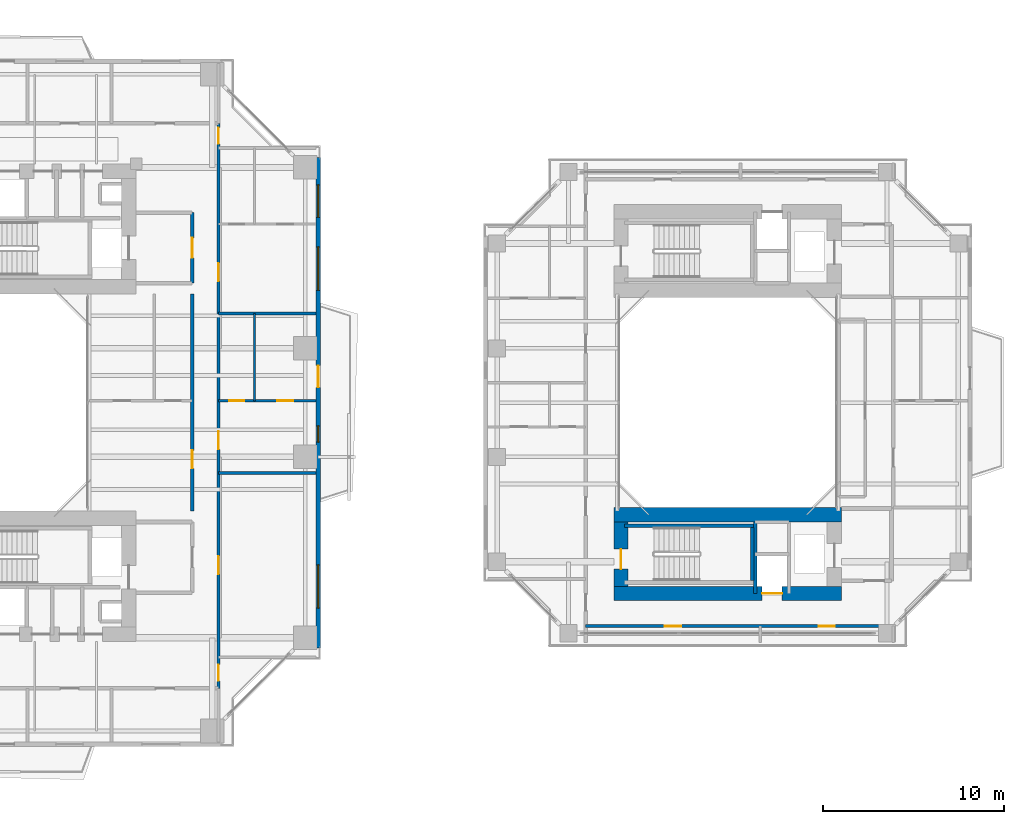
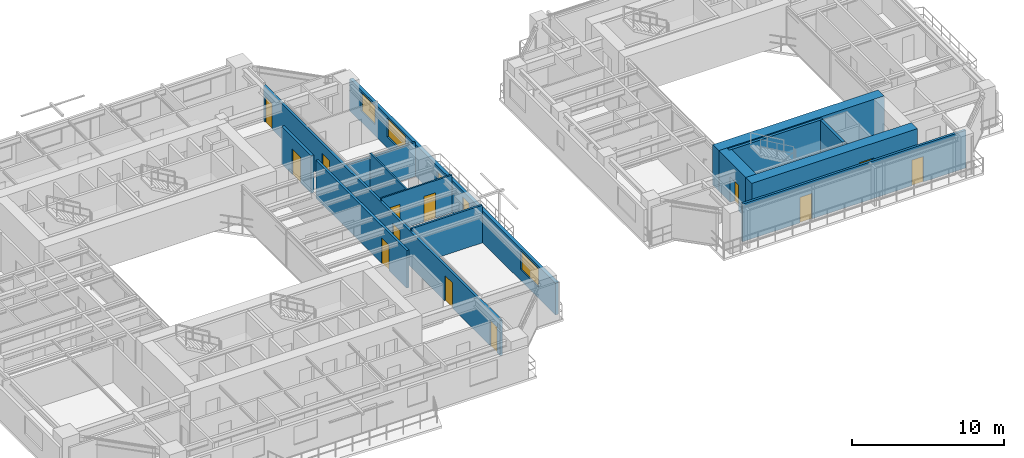
# One storey, part 15 of 24: 15 walls, 14 doors, 4 windows, 18 openings.
"""IFC4 building model written with IfcOpenShell, lengths in metres."""

from ifc_helpers import new_model, si_unit, direction, frame, frame_2d, origin, place, context, subcontext, project, spatial, rectangle, extrude, source, transform, mapped, material, layer, layer_set, type_object, element, fill, save


model = new_model("IFC4")

# Units and contexts
model_context = context("Model", 3, precision=1e-05, world=origin(), true_north=direction((0.0, 1.0)))
body_context = subcontext(model_context, "Body", "Model", "MODEL_VIEW")
ifc_project = project(units=[si_unit("LENGTHUNIT", "METRE"), si_unit("AREAUNIT", "SQUARE_METRE"), si_unit("VOLUMEUNIT", "CUBIC_METRE"), si_unit("PLANEANGLEUNIT", "RADIAN"), si_unit("MASSUNIT", "GRAM", prefix="KILO"), si_unit("THERMODYNAMICTEMPERATUREUNIT", "KELVIN"), si_unit("POWERUNIT", "WATT")], contexts=[model_context])

# Site, building, storey
site_placement = place(None, origin())
site = spatial("IfcSite", under=ifc_project, at=site_placement, CompositionType="ELEMENT")
building_placement = place(site_placement, origin())
building = spatial("IfcBuilding", under=site, at=building_placement, Name="Qiaomeng Ring Towers", CompositionType="ELEMENT")
storey_placement = place(building_placement, frame((0.0, 0.0, 42.5)))
storey = spatial("IfcBuildingStorey", under=building, at=storey_placement, Name="L11", CompositionType="ELEMENT", Elevation=42.5)

# Wall, openings, windows, door
ifc_material_1 = material(Name="Precast concrete C40", Category="concrete")
ifc_layer_1 = layer(ifc_material_1, 0.25, Name="Precast concrete C40")
ifc_layer_set_1 = layer_set([ifc_layer_1], Name="Precast concrete C40")
wall_type_1 = type_object("IfcWallType", Name="ARC-WL-EW1", PredefinedType="STANDARD", material=ifc_layer_set_1)
wall_1_placement = place(storey_placement, frame((37.875, 9.449951171875, 0.0), z_axis=(0.0, 0.0, 1.0), x_axis=(0.0, 1.0, 0.0)))
wall_1 = element("IfcWall", 1, at=wall_1_placement, inside=storey, type_object=wall_type_1, Name="L11 Tower 1 E Exterior Wall", PredefinedType="STANDARD", context=body_context, shape_type="SweptSolid", body=[
    extrude(rectangle(XDim=27.10009765625, YDim=0.25, at=frame_2d((13.550048828125, 0.0))), origin(), (0.0, 0.0, 1.0), 2.570068359375),
])
opening_1_placement = place(wall_1_placement, frame((14.39990234375, 0.0, 0.0)))
opening_1 = element("IfcOpeningElement", 2, at=opening_1_placement, cuts=wall_1, Name="Opening BD1", PredefinedType="OPENING", context=body_context, shape_type="SweptSolid", body=[
    extrude(rectangle(XDim=1.199951171875, YDim=2.10009765625, at=frame_2d((0.60009765625, 1.050048828125))), frame((0.0, 0.135009765625, 0.0), z_axis=(0.0, -1.0, 0.0), x_axis=(1.0, 0.0, 0.0)), (0.0, 0.0, 1.0), 0.27001953125),
])
opening_2_placement = place(wall_1_placement, frame((2.18798828125, 0.0, 0.89990234375)))
opening_2 = element("IfcOpeningElement", 3, at=opening_2_placement, cuts=wall_1, Name="Opening WN6", PredefinedType="OPENING", context=body_context, shape_type="SweptSolid", body=[
    extrude(rectangle(XDim=2.39990234375, YDim=1.47998046875, at=frame_2d((1.199951171875, 0.739990234375))), frame((0.0, 0.135009765625, 0.0), z_axis=(0.0, -1.0, 0.0), x_axis=(1.0, 0.0, 0.0)), (0.0, 0.0, 1.0), 0.27001953125),
])
opening_3_placement = place(wall_1_placement, frame((23.78759765625, 0.0, 0.89990234375)))
opening_3 = element("IfcOpeningElement", 4, at=opening_3_placement, cuts=wall_1, Name="Opening WN1", PredefinedType="OPENING", context=body_context, shape_type="SweptSolid", body=[
    extrude(rectangle(XDim=1.800048828125, YDim=1.5, at=frame_2d((0.89990234375, 0.75))), frame((0.0, 0.135009765625, 0.0), z_axis=(0.0, -1.0, 0.0), x_axis=(1.0, 0.0, 0.0)), (0.0, 0.0, 1.0), 0.27001953125),
])
opening_4_placement = place(wall_1_placement, frame((19.757568359375, 0.0, 0.89990234375)))
opening_4 = element("IfcOpeningElement", 5, at=opening_4_placement, cuts=wall_1, Name="Opening WN6", PredefinedType="OPENING", context=body_context, shape_type="SweptSolid", body=[
    extrude(rectangle(XDim=2.39990234375, YDim=1.5, at=frame_2d((1.199951171875, 0.75))), frame((0.0, 0.135009765625, 0.0), z_axis=(0.0, -1.0, 0.0), x_axis=(1.0, 0.0, 0.0)), (0.0, 0.0, 1.0), 0.27001953125),
])
opening_5_placement = place(wall_1_placement, frame((11.364990234375, 0.0, 0.89990234375)))
opening_5 = element("IfcOpeningElement", 6, at=opening_5_placement, cuts=wall_1, Name="Opening WN5", PredefinedType="OPENING", context=body_context, shape_type="SweptSolid", body=[
    extrude(rectangle(XDim=0.89990234375, YDim=1.199951171875, at=frame_2d((0.449951171875, 0.60009765625))), frame((0.0, 0.135009765625, 0.0), z_axis=(0.0, -1.0, 0.0), x_axis=(1.0, 0.0, 0.0)), (0.0, 0.0, 1.0), 0.27001953125),
])
ifc_material_2 = material(Name="Low-E dark-grey laminated double glazing", Category="glass")
window_type_1 = type_object("IfcWindowType", Name="ARC-WN-6", PartitioningType="TRIPLE_PANEL_VERTICAL", PredefinedType="WINDOW", material=ifc_material_2)
shared_shape_1 = source(origin(), body_context, "Body", "SweptSolid", [
    extrude(rectangle(XDim=2.39990234375, YDim=1.47998046875, at=frame_2d((1.199951171875, 0.739990234375))), frame((0.0, 0.030029296875, 0.0), z_axis=(0.0, -1.0, 0.0), x_axis=(1.0, 0.0, 0.0)), (0.0, 0.0, 1.0), 0.06005859375),
])
window_1_placement = place(opening_2_placement, origin())
window_1 = element("IfcWindow", 7, at=window_1_placement, inside=storey, type_object=window_type_1, Name="L11 Exterior Window WN6", OverallHeight=1.47998046875, OverallWidth=2.39990234375, PartitioningType="TRIPLE_PANEL_VERTICAL", PredefinedType="WINDOW", context=body_context, shape_type="MappedRepresentation", body=[
    mapped(shared_shape_1, transform((0.0, 0.0, 0.0), x_axis=(1.0, 0.0, 0.0), y_axis=(0.0, 1.0, 0.0), z_axis=(0.0, 0.0, 1.0), scale=1.0)),
])
fill(opening_2, window_1)
door_type_1 = type_object("IfcDoorType", Name="ARC-DR-BD1", OperationType="NOTDEFINED", PredefinedType="DOOR", material=ifc_material_2)
shared_shape_2 = source(origin(), body_context, "Body", "SweptSolid", [
    extrude(rectangle(XDim=1.199951171875, YDim=2.10009765625, at=frame_2d((0.60009765625, 1.050048828125))), frame((0.0, 0.02490234375, 0.0), z_axis=(0.0, -1.0, 0.0), x_axis=(1.0, 0.0, 0.0)), (0.0, 0.0, 1.0), 0.050048828125),
])
door_1_placement = place(opening_1_placement, origin())
door_1 = element("IfcDoor", 8, at=door_1_placement, inside=storey, type_object=door_type_1, Name="L11 E Balcony Glazed Door", OperationType="SINGLE_SWING_LEFT", OverallHeight=2.10009765625, OverallWidth=1.199951171875, PredefinedType="DOOR", context=body_context, shape_type="MappedRepresentation", body=[
    mapped(shared_shape_2, transform((0.0, 0.0, 0.0), x_axis=(1.0, 0.0, 0.0), y_axis=(0.0, 1.0, 0.0), z_axis=(0.0, 0.0, 1.0), scale=1.0)),
])
fill(opening_1, door_1)
shared_shape_3 = source(origin(), body_context, "Body", "SweptSolid", [
    extrude(rectangle(XDim=2.39990234375, YDim=1.5, at=frame_2d((1.199951171875, 0.75))), frame((0.0, 0.030029296875, 0.0), z_axis=(0.0, -1.0, 0.0), x_axis=(1.0, 0.0, 0.0)), (0.0, 0.0, 1.0), 0.06005859375),
])
window_2_placement = place(opening_4_placement, origin())
window_2 = element("IfcWindow", 9, at=window_2_placement, inside=storey, type_object=window_type_1, Name="L11 Exterior Window WN6", OverallHeight=1.5, OverallWidth=2.39990234375, PartitioningType="TRIPLE_PANEL_VERTICAL", PredefinedType="WINDOW", context=body_context, shape_type="MappedRepresentation", body=[
    mapped(shared_shape_3, transform((0.0, 0.0, 0.0), x_axis=(1.0, 0.0, 0.0), y_axis=(0.0, 1.0, 0.0), z_axis=(0.0, 0.0, 1.0), scale=1.0)),
])
fill(opening_4, window_2)
window_type_2 = type_object("IfcWindowType", Name="ARC-WN-1", PartitioningType="DOUBLE_PANEL_VERTICAL", PredefinedType="WINDOW", material=ifc_material_2)
shared_shape_4 = source(origin(), body_context, "Body", "SweptSolid", [
    extrude(rectangle(XDim=1.800048828125, YDim=1.5, at=frame_2d((0.89990234375, 0.75))), frame((0.0, 0.030029296875, 0.0), z_axis=(0.0, -1.0, 0.0), x_axis=(1.0, 0.0, 0.0)), (0.0, 0.0, 1.0), 0.06005859375),
])
window_3_placement = place(opening_3_placement, origin())
window_3 = element("IfcWindow", 10, at=window_3_placement, inside=storey, type_object=window_type_2, Name="L11 Exterior Window WN4", OverallHeight=1.5, OverallWidth=1.800048828125, PartitioningType="TRIPLE_PANEL_VERTICAL", PredefinedType="WINDOW", context=body_context, shape_type="MappedRepresentation", body=[
    mapped(shared_shape_4, transform((0.0, 0.0, 0.0), x_axis=(1.0, 0.0, 0.0), y_axis=(0.0, 1.0, 0.0), z_axis=(0.0, 0.0, 1.0), scale=1.0)),
])
fill(opening_3, window_3)
window_type_3 = type_object("IfcWindowType", Name="ARC-WN-5", PartitioningType="SINGLE_PANEL", PredefinedType="WINDOW", material=ifc_material_2)
shared_shape_5 = source(origin(), body_context, "Body", "SweptSolid", [
    extrude(rectangle(XDim=0.89990234375, YDim=1.199951171875, at=frame_2d((0.449951171875, 0.60009765625))), frame((0.0, 0.030029296875, 0.0), z_axis=(0.0, -1.0, 0.0), x_axis=(1.0, 0.0, 0.0)), (0.0, 0.0, 1.0), 0.06005859375),
])
window_4_placement = place(opening_5_placement, origin())
window_4 = element("IfcWindow", 11, at=window_4_placement, inside=storey, type_object=window_type_3, Name="L11 Exterior Window WN5", OverallHeight=1.199951171875, OverallWidth=0.89990234375, PartitioningType="SINGLE_PANEL", PredefinedType="WINDOW", context=body_context, shape_type="MappedRepresentation", body=[
    mapped(shared_shape_5, transform((0.0, 0.0, 0.0), x_axis=(1.0, 0.0, 0.0), y_axis=(0.0, 1.0, 0.0), z_axis=(0.0, 0.0, 1.0), scale=1.0)),
])
fill(opening_5, window_4)

# Wall, opening, door
ifc_material_3 = material(Name="Autoclaved aerated concrete block", Category="concrete")
ifc_layer_2 = layer(ifc_material_3, 0.199951171875, Name="Autoclaved aerated concrete block")
ifc_layer_set_2 = layer_set([ifc_layer_2], Name="Autoclaved aerated concrete block")
wall_type_2 = type_object("IfcWallType", Name="ARC-WL-PW1", PredefinedType="PARTITIONING", material=ifc_layer_set_2)
wall_2_placement = place(storey_placement, frame((30.89990234375, 29.60009765625, 0.0), z_axis=(0.0, 0.0, 1.0), x_axis=(0.0, 1.0, 0.0)))
wall_2 = element("IfcWall", 12, at=wall_2_placement, inside=storey, type_object=wall_type_2, Name="L11 Interior Wall PW1", PredefinedType="PARTITIONING", context=body_context, shape_type="SweptSolid", body=[
    extrude(rectangle(XDim=3.89990234375, YDim=0.199951171875, at=frame_2d((1.949951171875, 0.0))), origin(), (0.0, 0.0, 1.0), 3.030029296875),
])
opening_6_placement = place(wall_2_placement, frame((1.39990234375, 0.0, 0.0)))
opening_6 = element("IfcOpeningElement", 13, at=opening_6_placement, cuts=wall_2, Name="Opening FD3", PredefinedType="OPENING", context=body_context, shape_type="SweptSolid", body=[
    extrude(rectangle(XDim=1.10009765625, YDim=2.050048828125, at=frame_2d((0.550048828125, 1.02490234375))), frame((0.0, 0.10986328125, 0.0), z_axis=(0.0, -1.0, 0.0), x_axis=(1.0, 0.0, 0.0)), (0.0, 0.0, 1.0), 0.219970703125),
])
ifc_material_4 = material(Name="Galvanised steel", Category="steel")
door_type_2 = type_object("IfcDoorType", Name="ARC-DR-FD3", OperationType="NOTDEFINED", PredefinedType="DOOR", material=ifc_material_4)
shared_shape_6 = source(origin(), body_context, "Body", "SweptSolid", [
    extrude(rectangle(XDim=1.10009765625, YDim=2.050048828125, at=frame_2d((0.550048828125, 1.02490234375))), frame((0.0, 0.02490234375, 0.0), z_axis=(0.0, -1.0, 0.0), x_axis=(1.0, 0.0, 0.0)), (0.0, 0.0, 1.0), 0.050048828125),
])
door_2_placement = place(opening_6_placement, origin())
door_2 = element("IfcDoor", 14, at=door_2_placement, inside=storey, type_object=door_type_2, Name="L11 North FF Lobby Door", OperationType="SINGLE_SWING_LEFT", OverallHeight=2.050048828125, OverallWidth=1.10009765625, PredefinedType="DOOR", context=body_context, shape_type="MappedRepresentation", body=[
    mapped(shared_shape_6, transform((0.0, 0.0, 0.0), x_axis=(1.0, 0.0, 0.0), y_axis=(0.0, 1.0, 0.0), z_axis=(0.0, 0.0, 1.0), scale=1.0)),
])
fill(opening_6, door_2)

# Wall, openings, doors
ifc_layer_3 = layer(ifc_material_3, 0.179931640625, Name="Autoclaved aerated concrete block")
ifc_layer_set_3 = layer_set([ifc_layer_3], Name="Autoclaved aerated concrete block")
wall_type_3 = type_object("IfcWallType", Name="ARC-WL-PW2", PredefinedType="PARTITIONING", material=ifc_layer_set_3)
wall_3_placement = place(storey_placement, frame((32.35009765625, 7.2099609375, 0.0), z_axis=(0.0, 0.0, 1.0), x_axis=(0.0, 1.0, 0.0)))
wall_3 = element("IfcWall", 15, at=wall_3_placement, inside=storey, type_object=wall_type_3, Name="L11 Interior Wall PW2", PredefinedType="PARTITIONING", context=body_context, shape_type="SweptSolid", body=[
    extrude(rectangle(XDim=31.22998046875, YDim=0.179931640625, at=frame_2d((15.614990234375, 0.0))), origin(), (0.0, 0.0, 1.0), 2.824951171875),
])
opening_7_placement = place(wall_3_placement, frame((30.090087890625, 0.0, 0.0)))
opening_7 = element("IfcOpeningElement", 16, at=opening_7_placement, cuts=wall_3, Name="Opening ID1", PredefinedType="OPENING", context=body_context, shape_type="SweptSolid", body=[
    extrude(rectangle(XDim=0.89990234375, YDim=2.050048828125, at=frame_2d((0.449951171875, 1.02490234375))), frame((0.0, 0.099853515625, 0.0), z_axis=(0.0, -1.0, 0.0), x_axis=(1.0, 0.0, 0.0)), (0.0, 0.0, 1.0), 0.199951171875),
])
opening_8_placement = place(wall_3_placement, frame((0.4150390625, 0.0, 0.0)))
opening_8 = element("IfcOpeningElement", 17, at=opening_8_placement, cuts=wall_3, Name="Opening ID1", PredefinedType="OPENING", context=body_context, shape_type="SweptSolid", body=[
    extrude(rectangle(XDim=0.89990234375, YDim=2.050048828125, at=frame_2d((0.449951171875, 1.02490234375))), frame((0.0, 0.099853515625, 0.0), z_axis=(0.0, -1.0, 0.0), x_axis=(1.0, 0.0, 0.0)), (0.0, 0.0, 1.0), 0.199951171875),
])
opening_9_placement = place(wall_3_placement, frame((6.304931640625, 0.0, 0.0)))
opening_9 = element("IfcOpeningElement", 18, at=opening_9_placement, cuts=wall_3, Name="Opening FD4", PredefinedType="OPENING", context=body_context, shape_type="SweptSolid", body=[
    extrude(rectangle(XDim=1.0, YDim=2.050048828125, at=frame_2d((0.5, 1.02490234375))), frame((0.0, 0.099853515625, 0.0), z_axis=(0.0, -1.0, 0.0), x_axis=(1.0, 0.0, 0.0)), (0.0, 0.0, 1.0), 0.199951171875),
])
opening_10_placement = place(wall_3_placement, frame((13.205078125, 0.0, 0.0)))
opening_10 = element("IfcOpeningElement", 19, at=opening_10_placement, cuts=wall_3, Name="Opening FD4", PredefinedType="OPENING", context=body_context, shape_type="SweptSolid", body=[
    extrude(rectangle(XDim=1.0, YDim=2.050048828125, at=frame_2d((0.5, 1.02490234375))), frame((0.0, 0.099853515625, 0.0), z_axis=(0.0, -1.0, 0.0), x_axis=(1.0, 0.0, 0.0)), (0.0, 0.0, 1.0), 0.199951171875),
])
opening_11_placement = place(wall_3_placement, frame((22.5, 0.0, 0.0)))
opening_11 = element("IfcOpeningElement", 20, at=opening_11_placement, cuts=wall_3, Name="Opening FD4", PredefinedType="OPENING", context=body_context, shape_type="SweptSolid", body=[
    extrude(rectangle(XDim=1.0, YDim=2.050048828125, at=frame_2d((0.5, 1.02490234375))), frame((0.0, 0.099853515625, 0.0), z_axis=(0.0, -1.0, 0.0), x_axis=(1.0, 0.0, 0.0)), (0.0, 0.0, 1.0), 0.199951171875),
])
ifc_material_5 = material(Name="Engineered fire-rated oak timber", Category="wood")
door_type_3 = type_object("IfcDoorType", Name="ARC-DR-FD4", OperationType="NOTDEFINED", PredefinedType="DOOR", material=ifc_material_5)
shared_shape_7 = source(origin(), body_context, "Body", "SweptSolid", [
    extrude(rectangle(XDim=1.0, YDim=2.050048828125, at=frame_2d((0.5, 1.02490234375))), frame((0.0, 0.02490234375, 0.0), z_axis=(0.0, -1.0, 0.0), x_axis=(1.0, 0.0, 0.0)), (0.0, 0.0, 1.0), 0.050048828125),
])
door_3_placement = place(opening_9_placement, origin())
door_3 = element("IfcDoor", 21, at=door_3_placement, inside=storey, type_object=door_type_3, Name="L11 Door FD4", OperationType="SINGLE_SWING_RIGHT", OverallHeight=2.050048828125, OverallWidth=1.0, PredefinedType="DOOR", context=body_context, shape_type="MappedRepresentation", body=[
    mapped(shared_shape_7, transform((0.0, 0.0, 0.0), x_axis=(1.0, 0.0, 0.0), y_axis=(0.0, 1.0, 0.0), z_axis=(0.0, 0.0, 1.0), scale=1.0)),
])
fill(opening_9, door_3)
door_4_placement = place(opening_10_placement, origin())
door_4 = element("IfcDoor", 22, at=door_4_placement, inside=storey, type_object=door_type_3, Name="L11 Door FD4", OperationType="SINGLE_SWING_LEFT", OverallHeight=2.050048828125, OverallWidth=1.0, PredefinedType="DOOR", context=body_context, shape_type="MappedRepresentation", body=[
    mapped(shared_shape_7, transform((0.0, 0.0, 0.0), x_axis=(1.0, 0.0, 0.0), y_axis=(0.0, 1.0, 0.0), z_axis=(0.0, 0.0, 1.0), scale=1.0)),
])
fill(opening_10, door_4)
door_5_placement = place(opening_11_placement, origin())
door_5 = element("IfcDoor", 23, at=door_5_placement, inside=storey, type_object=door_type_3, Name="L11 Door FD4", OperationType="SINGLE_SWING_RIGHT", OverallHeight=2.050048828125, OverallWidth=1.0, PredefinedType="DOOR", context=body_context, shape_type="MappedRepresentation", body=[
    mapped(shared_shape_7, transform((0.0, 0.0, 0.0), x_axis=(1.0, 0.0, 0.0), y_axis=(0.0, 1.0, 0.0), z_axis=(0.0, 0.0, 1.0), scale=1.0)),
])
fill(opening_11, door_5)
ifc_material_6 = material(Name="Engineered oak timber", Category="wood")
door_type_4 = type_object("IfcDoorType", Name="ARC-DR-ID1", OperationType="NOTDEFINED", PredefinedType="DOOR", material=ifc_material_6)
shared_shape_8 = source(origin(), body_context, "Body", "SweptSolid", [
    extrude(rectangle(XDim=0.89990234375, YDim=2.050048828125, at=frame_2d((0.449951171875, 1.02490234375))), frame((0.0, 0.02490234375, 0.0), z_axis=(0.0, -1.0, 0.0), x_axis=(1.0, 0.0, 0.0)), (0.0, 0.0, 1.0), 0.050048828125),
])
door_6_placement = place(opening_7_placement, origin())
door_6 = element("IfcDoor", 24, at=door_6_placement, inside=storey, type_object=door_type_4, Name="L11 Door ID1", OperationType="SINGLE_SWING_RIGHT", OverallHeight=2.050048828125, OverallWidth=0.89990234375, PredefinedType="DOOR", context=body_context, shape_type="MappedRepresentation", body=[
    mapped(shared_shape_8, transform((0.0, 0.0, 0.0), x_axis=(1.0, 0.0, 0.0), y_axis=(0.0, 1.0, 0.0), z_axis=(0.0, 0.0, 1.0), scale=1.0)),
])
fill(opening_7, door_6)
door_7_placement = place(opening_8_placement, origin())
door_7 = element("IfcDoor", 25, at=door_7_placement, inside=storey, type_object=door_type_4, Name="L11 Door ID1", OperationType="SINGLE_SWING_LEFT", OverallHeight=2.050048828125, OverallWidth=0.89990234375, PredefinedType="DOOR", context=body_context, shape_type="MappedRepresentation", body=[
    mapped(shared_shape_8, transform((0.0, 0.0, 0.0), x_axis=(1.0, 0.0, 0.0), y_axis=(0.0, 1.0, 0.0), z_axis=(0.0, 0.0, 1.0), scale=1.0)),
])
fill(opening_8, door_7)

# Wall, opening, door
wall_4_placement = place(storey_placement, frame((30.89990234375, 17.0, 0.0), z_axis=(0.0, 0.0, 1.0), x_axis=(0.0, 1.0, 0.0)))
wall_4 = element("IfcWall", 26, at=wall_4_placement, inside=storey, type_object=wall_type_3, Name="L11 Interior Wall PW2", PredefinedType="PARTITIONING", context=body_context, shape_type="SweptSolid", body=[
    extrude(rectangle(XDim=12.0, YDim=0.179931640625, at=frame_2d((6.0, 0.0))), origin(), (0.0, 0.0, 1.0), 3.030029296875),
])
opening_12_placement = place(wall_4_placement, frame((2.360107421875, 0.0, 0.0)))
opening_12 = element("IfcOpeningElement", 27, at=opening_12_placement, cuts=wall_4, Name="Opening FD4", PredefinedType="OPENING", context=body_context, shape_type="SweptSolid", body=[
    extrude(rectangle(XDim=1.0, YDim=2.050048828125, at=frame_2d((0.5, 1.02490234375))), frame((0.0, 0.099853515625, 0.0), z_axis=(0.0, -1.0, 0.0), x_axis=(1.0, 0.0, 0.0)), (0.0, 0.0, 1.0), 0.199951171875),
])
door_8_placement = place(opening_12_placement, origin())
door_8 = element("IfcDoor", 28, at=door_8_placement, inside=storey, type_object=door_type_3, Name="L11 Door FD4", OperationType="SINGLE_SWING_LEFT", OverallHeight=2.050048828125, OverallWidth=1.0, PredefinedType="DOOR", context=body_context, shape_type="MappedRepresentation", body=[
    mapped(shared_shape_7, transform((0.0, 0.0, 0.0), x_axis=(1.0, 0.0, 0.0), y_axis=(0.0, 1.0, 0.0), z_axis=(0.0, 0.0, 1.0), scale=1.0)),
])
fill(opening_12, door_8)

# Wall, openings, doors
wall_5_placement = place(storey_placement, frame((52.64990234375, 10.64990234375, 0.0), z_axis=(0.0, 0.0, 1.0), x_axis=(1.0, 0.0, 0.0)))
wall_5 = element("IfcWall", 29, at=wall_5_placement, inside=storey, type_object=wall_type_3, Name="L11 Interior Wall PW2", PredefinedType="PARTITIONING", context=body_context, shape_type="SweptSolid", body=[
    extrude(rectangle(XDim=17.0, YDim=0.179931640625, at=frame_2d((8.5, 0.0))), origin(), (0.0, 0.0, 1.0), 3.030029296875),
])
opening_13_placement = place(wall_5_placement, frame((4.375, 0.0, 0.0)))
opening_13 = element("IfcOpeningElement", 30, at=opening_13_placement, cuts=wall_5, Name="Opening ID1", PredefinedType="OPENING", context=body_context, shape_type="SweptSolid", body=[
    extrude(rectangle(XDim=0.89990234375, YDim=2.050048828125, at=frame_2d((0.449951171875, 1.02490234375))), frame((0.0, 0.099853515625, 0.0), z_axis=(0.0, -1.0, 0.0), x_axis=(1.0, 0.0, 0.0)), (0.0, 0.0, 1.0), 0.199951171875),
])
opening_14_placement = place(wall_5_placement, frame((12.875, 0.0, 0.0)))
opening_14 = element("IfcOpeningElement", 31, at=opening_14_placement, cuts=wall_5, Name="Opening ID1", PredefinedType="OPENING", context=body_context, shape_type="SweptSolid", body=[
    extrude(rectangle(XDim=0.89990234375, YDim=2.050048828125, at=frame_2d((0.449951171875, 1.02490234375))), frame((0.0, 0.099853515625, 0.0), z_axis=(0.0, -1.0, 0.0), x_axis=(1.0, 0.0, 0.0)), (0.0, 0.0, 1.0), 0.199951171875),
])
door_9_placement = place(opening_13_placement, origin())
door_9 = element("IfcDoor", 32, at=door_9_placement, inside=storey, type_object=door_type_4, Name="L11 Door ID1", OperationType="SINGLE_SWING_RIGHT", OverallHeight=2.050048828125, OverallWidth=0.89990234375, PredefinedType="DOOR", context=body_context, shape_type="MappedRepresentation", body=[
    mapped(shared_shape_8, transform((0.0, 0.0, 0.0), x_axis=(1.0, 0.0, 0.0), y_axis=(0.0, 1.0, 0.0), z_axis=(0.0, 0.0, 1.0), scale=1.0)),
])
fill(opening_13, door_9)
door_10_placement = place(opening_14_placement, origin())
door_10 = element("IfcDoor", 33, at=door_10_placement, inside=storey, type_object=door_type_4, Name="L11 Door ID1", OperationType="SINGLE_SWING_LEFT", OverallHeight=2.050048828125, OverallWidth=0.89990234375, PredefinedType="DOOR", context=body_context, shape_type="MappedRepresentation", body=[
    mapped(shared_shape_8, transform((0.0, 0.0, 0.0), x_axis=(1.0, 0.0, 0.0), y_axis=(0.0, 1.0, 0.0), z_axis=(0.0, 0.0, 1.0), scale=1.0)),
])
fill(opening_14, door_10)

# Walls
ifc_material_7 = material(Name="Gypsum fireboard steel-stud partition", Category="steel")
ifc_layer_4 = layer(ifc_material_7, 0.14990234375, Name="Gypsum fireboard steel-stud partition")
ifc_layer_set_4 = layer_set([ifc_layer_4], Name="Gypsum fireboard steel-stud partition")
wall_type_4 = type_object("IfcWallType", Name="ARC-WL-PW3", PredefinedType="PARTITIONING", material=ifc_layer_set_4)
wall_6_placement = place(storey_placement, frame((32.35009765625, 19.110107421875, 0.0), z_axis=(0.0, 0.0, 1.0), x_axis=(1.0, 0.0, 0.0)))
element("IfcWall", 34, at=wall_6_placement, inside=storey, type_object=wall_type_4, Name="L11 Interior Wall PW3", PredefinedType="PARTITIONING", context=body_context, shape_type="SweptSolid", body=[
    extrude(rectangle(XDim=5.39990234375, YDim=0.14990234375, at=frame_2d((2.699951171875, 0.0))), origin(), (0.0, 0.0, 1.0), 3.030029296875),
])
wall_7_placement = place(storey_placement, frame((32.35009765625, 27.929931640625, 0.0), z_axis=(0.0, 0.0, 1.0), x_axis=(1.0, 0.0, 0.0)))
element("IfcWall", 35, at=wall_7_placement, inside=storey, type_object=wall_type_4, Name="L11 Interior Wall PW3", PredefinedType="PARTITIONING", context=body_context, shape_type="SweptSolid", body=[
    extrude(rectangle(XDim=5.39990234375, YDim=0.14990234375, at=frame_2d((2.699951171875, 0.0))), origin(), (0.0, 0.0, 1.0), 2.73095703125),
])

# Wall, openings, doors
ifc_material_8 = material(Name="Moisture-resistant gypsum steel-stud partition", Category="steel")
ifc_layer_5 = layer(ifc_material_8, 0.1201171875, Name="Moisture-resistant gypsum steel-stud partition")
ifc_layer_set_5 = layer_set([ifc_layer_5], Name="Moisture-resistant gypsum steel-stud partition")
wall_type_5 = type_object("IfcWallType", Name="ARC-WL-PW4", PredefinedType="PLUMBINGWALL", material=ifc_layer_set_5)
wall_8_placement = place(storey_placement, frame((32.35009765625, 23.10009765625, 0.0), z_axis=(0.0, 0.0, 1.0), x_axis=(1.0, 0.0, 0.0)))
wall_8 = element("IfcWall", 36, at=wall_8_placement, inside=storey, type_object=wall_type_5, Name="L11 Interior Wall PW4", PredefinedType="PLUMBINGWALL", context=body_context, shape_type="SweptSolid", body=[
    extrude(rectangle(XDim=5.39990234375, YDim=0.1201171875, at=frame_2d((2.699951171875, 0.0))), origin(), (0.0, 0.0, 1.0), 3.030029296875),
])
opening_15_placement = place(wall_8_placement, frame((0.5849609375, 0.0, 0.0)))
opening_15 = element("IfcOpeningElement", 37, at=opening_15_placement, cuts=wall_8, Name="Opening ID2", PredefinedType="OPENING", context=body_context, shape_type="SweptSolid", body=[
    extrude(rectangle(XDim=0.85009765625, YDim=2.050048828125, at=frame_2d((0.425048828125, 1.02490234375))), frame((0.0, 0.070068359375, 0.0), z_axis=(0.0, -1.0, 0.0), x_axis=(1.0, 0.0, 0.0)), (0.0, 0.0, 1.0), 0.14013671875),
])
opening_16_placement = place(wall_8_placement, frame((3.239990234375, 0.0, 0.0)))
opening_16 = element("IfcOpeningElement", 38, at=opening_16_placement, cuts=wall_8, Name="Opening ID1", PredefinedType="OPENING", context=body_context, shape_type="SweptSolid", body=[
    extrude(rectangle(XDim=0.89990234375, YDim=2.050048828125, at=frame_2d((0.449951171875, 1.02490234375))), frame((0.0, 0.070068359375, 0.0), z_axis=(0.0, -1.0, 0.0), x_axis=(1.0, 0.0, 0.0)), (0.0, 0.0, 1.0), 0.14013671875),
])
ifc_material_9 = material(Name="Moisture-resistant engineered timber", Category="wood")
door_type_5 = type_object("IfcDoorType", Name="ARC-DR-ID2", OperationType="NOTDEFINED", PredefinedType="DOOR", material=ifc_material_9)
shared_shape_9 = source(origin(), body_context, "Body", "SweptSolid", [
    extrude(rectangle(XDim=0.85009765625, YDim=2.050048828125, at=frame_2d((0.425048828125, 1.02490234375))), frame((0.0, 0.02490234375, 0.0), z_axis=(0.0, -1.0, 0.0), x_axis=(1.0, 0.0, 0.0)), (0.0, 0.0, 1.0), 0.050048828125),
])
door_11_placement = place(opening_15_placement, origin())
door_11 = element("IfcDoor", 39, at=door_11_placement, inside=storey, type_object=door_type_5, Name="L11 Door ID2", OperationType="SINGLE_SWING_LEFT", OverallHeight=2.050048828125, OverallWidth=0.85009765625, PredefinedType="DOOR", context=body_context, shape_type="MappedRepresentation", body=[
    mapped(shared_shape_9, transform((0.0, 0.0, 0.0), x_axis=(1.0, 0.0, 0.0), y_axis=(0.0, 1.0, 0.0), z_axis=(0.0, 0.0, 1.0), scale=1.0)),
])
fill(opening_15, door_11)
door_12_placement = place(opening_16_placement, origin())
door_12 = element("IfcDoor", 40, at=door_12_placement, inside=storey, type_object=door_type_4, Name="L11 Door ID1", OperationType="SINGLE_SWING_RIGHT", OverallHeight=2.050048828125, OverallWidth=0.89990234375, PredefinedType="DOOR", context=body_context, shape_type="MappedRepresentation", body=[
    mapped(shared_shape_8, transform((0.0, 0.0, 0.0), x_axis=(1.0, 0.0, 0.0), y_axis=(0.0, 1.0, 0.0), z_axis=(0.0, 0.0, 1.0), scale=1.0)),
])
fill(opening_16, door_12)

# Walls
wall_9_placement = place(storey_placement, frame((34.35009765625, 23.10009765625, 0.0), z_axis=(0.0, 0.0, 1.0), x_axis=(0.0, 1.0, 0.0)))
element("IfcWall", 41, at=wall_9_placement, inside=storey, type_object=wall_type_5, Name="L11 Interior Wall PW4", PredefinedType="PLUMBINGWALL", context=body_context, shape_type="SweptSolid", body=[
    extrude(rectangle(XDim=4.829833984375, YDim=0.1201171875, at=frame_2d((2.4150390625, 0.0))), origin(), (0.0, 0.0, 1.0), 3.030029296875),
])
ifc_material_10 = material(Name="Concrete C40", Category="concrete")
ifc_layer_6 = layer(ifc_material_10, 0.199951171875, Name="Concrete C40")
ifc_layer_set_6 = layer_set([ifc_layer_6], Name="Concrete C40")
wall_type_6 = type_object("IfcWallType", Name="STR-WL-STSHAFT", PredefinedType="SHEAR", material=ifc_layer_set_6)
wall_10_placement = place(storey_placement, frame((62.02001953125, 12.449951171875, 0.0), z_axis=(0.0, 0.0, 1.0), x_axis=(0.0, 1.0, 0.0)))
element("IfcWall", 42, at=wall_10_placement, inside=storey, type_object=wall_type_6, Name="L11 Companion Lift Shaft West Wall S", PredefinedType="SHEAR", context=body_context, shape_type="SweptSolid", body=[
    extrude(rectangle(XDim=3.949951171875, YDim=0.179931640625, at=frame_2d((1.97509765625, 0.0))), origin(), (0.0, 0.0, 1.0), 3.030029296875),
])
wall_11_placement = place(storey_placement, frame((54.800048828125, 16.199951171875, 0.0), z_axis=(0.0, 0.0, 1.0), x_axis=(1.0, 0.0, 0.0)))
element("IfcWall", 43, at=wall_11_placement, inside=storey, type_object=wall_type_6, Name="L11 Stair ST6 North Shaft Shear Wall", PredefinedType="SHEAR", context=body_context, shape_type="SweptSolid", body=[
    extrude(rectangle(XDim=7.14990234375, YDim=0.199951171875, at=frame_2d((3.574951171875, 0.0))), origin(), (0.0, 0.0, 1.0), 3.25),
])
wall_12_placement = place(storey_placement, frame((61.85009765625, 13.159912109375, 0.0), z_axis=(0.0, 0.0, 1.0), x_axis=(0.0, 1.0, 0.0)))
element("IfcWall", 44, at=wall_12_placement, inside=storey, type_object=wall_type_6, Name="L11 Stair ST6 East Shaft Shear Wall", PredefinedType="SHEAR", context=body_context, shape_type="SweptSolid", body=[
    extrude(rectangle(XDim=2.940185546875, YDim=0.199951171875, at=frame_2d((1.47021484375, 0.0))), origin(), (0.0, 0.0, 1.0), 3.25),
])

# Wall, opening, door
ifc_material_11 = material(Name="Concrete C60", Category="concrete")
ifc_layer_7 = layer(ifc_material_11, 0.800048828125, Name="Concrete C60")
ifc_layer_set_7 = layer_set([ifc_layer_7], Name="Concrete C60")
wall_type_7 = type_object("IfcWallType", Name="STR-WL-SW1", PredefinedType="SHEAR", material=ifc_layer_set_7)
wall_13_placement = place(storey_placement, frame((54.199951171875, 12.449951171875, 0.0), z_axis=(0.0, 0.0, 1.0), x_axis=(1.0, 0.0, 0.0)))
wall_13 = element("IfcWall", 45, at=wall_13_placement, inside=storey, type_object=wall_type_7, Name="L11 T2SC south core shear wall", PredefinedType="SHEAR", context=body_context, shape_type="SweptSolid", body=[
    extrude(rectangle(XDim=12.60009765625, YDim=0.800048828125, at=frame_2d((6.300048828125, 0.0))), origin(), (0.0, 0.0, 1.0), 3.25),
])
opening_17_placement = place(wall_13_placement, frame((8.199951171875, 0.0, 0.0)))
opening_17 = element("IfcOpeningElement", 46, at=opening_17_placement, cuts=wall_13, Name="Opening LD1", PredefinedType="OPENING", context=body_context, shape_type="SweptSolid", body=[
    extrude(rectangle(XDim=1.10009765625, YDim=2.050048828125, at=frame_2d((0.550048828125, 1.02490234375))), frame((0.0, 0.409912109375, 0.0), z_axis=(0.0, -1.0, 0.0), x_axis=(1.0, 0.0, 0.0)), (0.0, 0.0, 1.0), 0.820068359375),
])
ifc_material_12 = material(Name="Stainless steel 316", Category="steel")
door_type_6 = type_object("IfcDoorType", Name="ARC-DR-LD1", OperationType="NOTDEFINED", PredefinedType="DOOR", material=ifc_material_12)
door_13_placement = place(opening_17_placement, origin())
door_13 = element("IfcDoor", 47, at=door_13_placement, inside=storey, type_object=door_type_6, Name="L11 Companion Lift LP8 Landing Door", OperationType="SLIDING_TO_RIGHT", OverallHeight=2.050048828125, OverallWidth=1.10009765625, PredefinedType="DOOR", context=body_context, shape_type="MappedRepresentation", body=[
    mapped(shared_shape_6, transform((0.0, 0.0, 0.0), x_axis=(1.0, 0.0, 0.0), y_axis=(0.0, 1.0, 0.0), z_axis=(0.0, 0.0, 1.0), scale=1.0)),
])
fill(opening_17, door_13)

# Wall
wall_14_placement = place(storey_placement, frame((54.199951171875, 16.800048828125, 0.0), z_axis=(0.0, 0.0, 1.0), x_axis=(1.0, 0.0, 0.0)))
element("IfcWall", 48, at=wall_14_placement, inside=storey, type_object=wall_type_7, Name="L11 T2SC north core shear wall", PredefinedType="SHEAR", context=body_context, shape_type="SweptSolid", body=[
    extrude(rectangle(XDim=12.60009765625, YDim=0.800048828125, at=frame_2d((6.300048828125, 0.0))), origin(), (0.0, 0.0, 1.0), 3.25),
])

# Wall, opening, door
wall_15_placement = place(storey_placement, frame((54.60009765625, 12.85009765625, 0.0), z_axis=(0.0, 0.0, 1.0), x_axis=(0.0, 1.0, 0.0)))
wall_15 = element("IfcWall", 49, at=wall_15_placement, inside=storey, type_object=wall_type_7, Name="L11 T2SC west core shear wall", PredefinedType="SHEAR", context=body_context, shape_type="SweptSolid", body=[
    extrude(rectangle(XDim=3.5498046875, YDim=0.800048828125, at=frame_2d((1.77490234375, 0.0))), origin(), (0.0, 0.0, 1.0), 3.25),
])
opening_18_placement = place(wall_15_placement, frame((0.949951171875, 0.0, 0.0)))
opening_18 = element("IfcOpeningElement", 50, at=opening_18_placement, cuts=wall_15, Name="Opening FD3", PredefinedType="OPENING", context=body_context, shape_type="SweptSolid", body=[
    extrude(rectangle(XDim=1.10009765625, YDim=2.050048828125, at=frame_2d((0.550048828125, 1.02490234375))), frame((0.0, 0.409912109375, 0.0), z_axis=(0.0, -1.0, 0.0), x_axis=(1.0, 0.0, 0.0)), (0.0, 0.0, 1.0), 0.820068359375),
])
door_14_placement = place(opening_18_placement, origin())
door_14 = element("IfcDoor", 51, at=door_14_placement, inside=storey, type_object=door_type_2, Name="L11 Stair ST6 Exit Door", OperationType="SINGLE_SWING_LEFT", OverallHeight=2.050048828125, OverallWidth=1.10009765625, PredefinedType="DOOR", context=body_context, shape_type="MappedRepresentation", body=[
    mapped(shared_shape_6, transform((0.0, 0.0, 0.0), x_axis=(1.0, 0.0, 0.0), y_axis=(0.0, 1.0, 0.0), z_axis=(0.0, 0.0, 1.0), scale=1.0)),
])
fill(opening_18, door_14)

save(model, "model.ifc")
